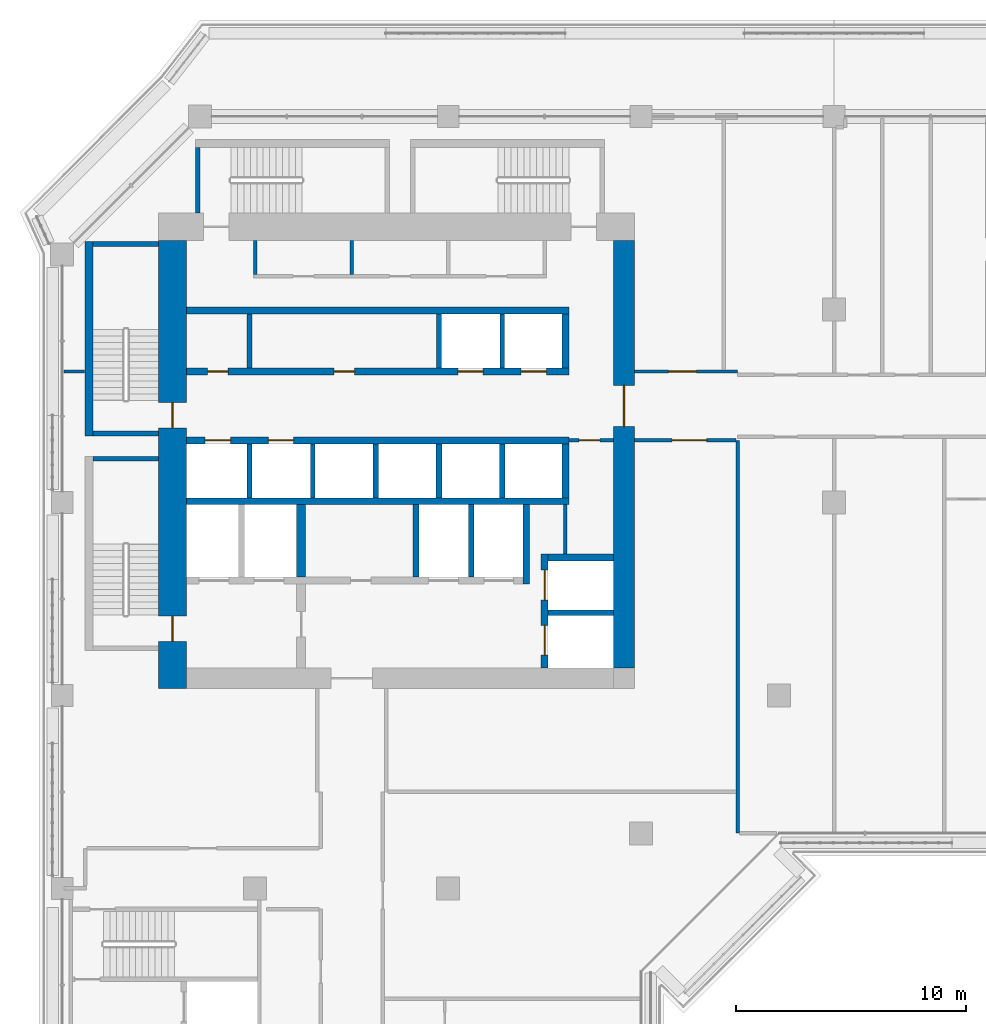
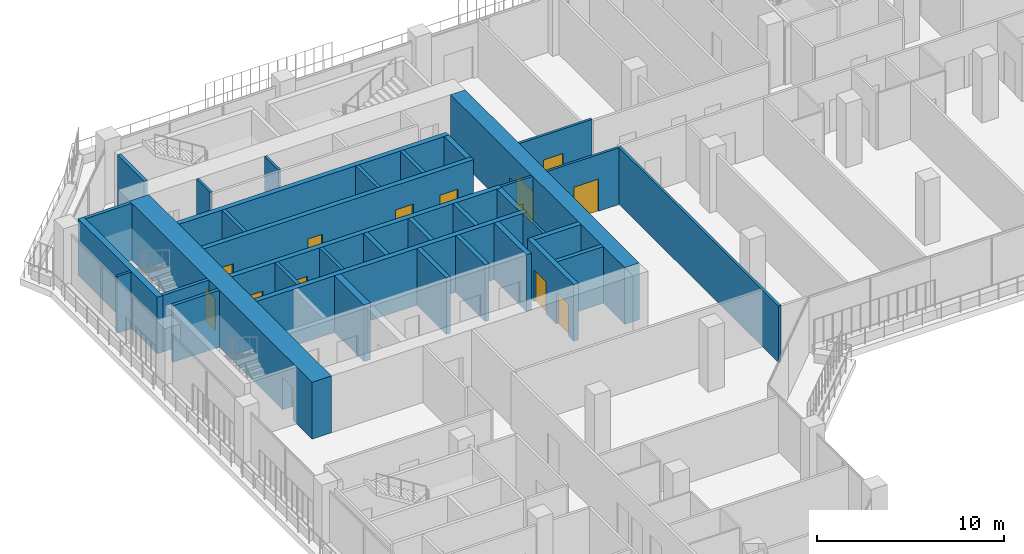
# One storey, part 11 of 22: 36 walls, 14 doors, 14 openings.
"""IFC4 building model written with IfcOpenShell, lengths in metres."""

from ifc_helpers import new_model, si_unit, direction, frame, frame_2d, origin, place, context, subcontext, project, spatial, rectangle, extrude, material, layer, layer_set, type_object, element, fill, save


model = new_model("IFC4")

# Units and contexts
model_context = context("Model", 3, precision=1e-05, world=origin(), true_north=direction((0.0, 1.0)))
body_context = subcontext(model_context, "Body", "Model", "MODEL_VIEW")
ifc_project = project(units=[si_unit("LENGTHUNIT", "METRE"), si_unit("AREAUNIT", "SQUARE_METRE"), si_unit("VOLUMEUNIT", "CUBIC_METRE"), si_unit("PLANEANGLEUNIT", "RADIAN"), si_unit("MASSUNIT", "GRAM", prefix="KILO")], contexts=[model_context])

# Site, building, storey
site_placement = place(None, origin())
site = spatial("IfcSite", under=ifc_project, at=site_placement, CompositionType="ELEMENT")
building_placement = place(site_placement, origin())
building = spatial("IfcBuilding", under=site, at=building_placement, Name="Kawkab Arch Medical Tower", CompositionType="ELEMENT")
storey_placement = place(building_placement, frame((0.0, 0.0, 208.800048828125)))
storey = spatial("IfcBuildingStorey", under=building, at=storey_placement, Name="L48", CompositionType="ELEMENT", Elevation=208.800048828125)

# Wall, openings, doors
ifc_material_1 = material(Name="Concrete C55/67", Category="concrete")
ifc_layer_1 = layer(ifc_material_1, 1.199951171875)
ifc_layer_set_1 = layer_set([ifc_layer_1], Name="Concrete C55/67")
wall_type_1 = type_object("IfcWallType", Name="Core ring wall 1200 C55/67", PredefinedType="SHEAR", material=ifc_layer_set_1)
wall_1_placement = place(storey_placement, frame((4.800048828125, -24.89990234375, 0.0), z_axis=(0.0, 0.0, 1.0), x_axis=(0.0, 1.0, 0.0)))
wall_1 = element("IfcWall", 1, at=wall_1_placement, inside=storey, type_object=wall_type_1, Name="L48 core wall", PredefinedType="SHEAR", context=body_context, shape_type="SweptSolid", body=[
    extrude(rectangle(XDim=19.5, YDim=1.199951171875, at=frame_2d((9.75, 0.0))), origin(), (0.0, 0.0, 1.0), 3.699951171875),
])
opening_1_placement = place(wall_1_placement, frame((11.35009765625, 0.0, 0.0)))
opening_1 = element("IfcOpeningElement", 2, at=opening_1_placement, cuts=wall_1, Name="Opening SD", PredefinedType="OPENING", context=body_context, shape_type="SweptSolid", body=[
    extrude(rectangle(XDim=1.10009765625, YDim=2.10009765625, at=frame_2d((0.550048828125, 1.050048828125))), frame((0.0, 0.60986328125, 0.0), z_axis=(0.0, -1.0, 0.0), x_axis=(1.0, 0.0, 0.0)), (0.0, 0.0, 1.0), 1.219970703125),
])
opening_2_placement = place(wall_1_placement, frame((2.050048828125, 0.0, 0.0)))
opening_2 = element("IfcOpeningElement", 3, at=opening_2_placement, cuts=wall_1, Name="Opening SD", PredefinedType="OPENING", context=body_context, shape_type="SweptSolid", body=[
    extrude(rectangle(XDim=1.10009765625, YDim=2.10009765625, at=frame_2d((0.550048828125, 1.050048828125))), frame((0.0, 0.60986328125, 0.0), z_axis=(0.0, -1.0, 0.0), x_axis=(1.0, 0.0, 0.0)), (0.0, 0.0, 1.0), 1.219970703125),
])
ifc_material_2 = material(Name="Hollow metal fire door leaf")
door_type_1 = type_object("IfcDoorType", Name="Exit stair door 1100", OperationType="SINGLE_SWING_LEFT", PredefinedType="DOOR", material=ifc_material_2)
door_1_placement = place(opening_1_placement, origin())
door_1 = element("IfcDoor", 4, at=door_1_placement, inside=storey, type_object=door_type_1, Name="L48 Exit stair ST1 door", OperationType="SINGLE_SWING_LEFT", OverallHeight=2.10009765625, OverallWidth=1.10009765625, PredefinedType="DOOR", context=body_context, shape_type="SweptSolid", body=[
    extrude(rectangle(XDim=1.10009765625, YDim=2.10009765625, at=frame_2d((0.550048828125, 1.050048828125))), frame((0.0, 0.02490234375, 0.0), z_axis=(0.0, -1.0, 0.0), x_axis=(1.0, 0.0, 0.0)), (0.0, 0.0, 1.0), 0.050048828125),
])
fill(opening_1, door_1)
door_2_placement = place(opening_2_placement, origin())
door_2 = element("IfcDoor", 5, at=door_2_placement, inside=storey, type_object=door_type_1, Name="L48 Exit stair ST2 door", OperationType="SINGLE_SWING_LEFT", OverallHeight=2.10009765625, OverallWidth=1.10009765625, PredefinedType="DOOR", context=body_context, shape_type="SweptSolid", body=[
    extrude(rectangle(XDim=1.10009765625, YDim=2.10009765625, at=frame_2d((0.550048828125, 1.050048828125))), frame((0.0, 0.02490234375, 0.0), z_axis=(0.0, -1.0, 0.0), x_axis=(1.0, 0.0, 0.0)), (0.0, 0.0, 1.0), 0.050048828125),
])
fill(opening_2, door_2)

# Wall, opening, door
ifc_material_3 = material(Name="Concrete C55/67", Category="concrete")
ifc_layer_2 = layer(ifc_material_3, 0.89990234375)
ifc_layer_set_2 = layer_set([ifc_layer_2], Name="Concrete C55/67")
wall_type_2 = type_object("IfcWallType", Name="Core ring wall 900 C55/67", PredefinedType="SHEAR", material=ifc_layer_set_2)
wall_2_placement = place(storey_placement, frame((24.449951171875, -24.0, 0.0), z_axis=(0.0, 0.0, 1.0), x_axis=(0.0, 1.0, 0.0)))
wall_2 = element("IfcWall", 6, at=wall_2_placement, inside=storey, type_object=wall_type_2, Name="L48 core wall", PredefinedType="SHEAR", context=body_context, shape_type="SweptSolid", body=[
    extrude(rectangle(XDim=18.60009765625, YDim=0.89990234375, at=frame_2d((9.300048828125, 0.0))), origin(), (0.0, 0.0, 1.0), 3.699951171875),
])
opening_3_placement = place(wall_2_placement, frame((10.5, 0.0, 0.0)))
opening_3 = element("IfcOpeningElement", 7, at=opening_3_placement, cuts=wall_2, Name="Opening PD", PredefinedType="OPENING", context=body_context, shape_type="SweptSolid", body=[
    extrude(rectangle(XDim=1.800048828125, YDim=2.10009765625, at=frame_2d((0.89990234375, 1.050048828125))), frame((0.0, 0.4599609375, 0.0), z_axis=(0.0, -1.0, 0.0), x_axis=(1.0, 0.0, 0.0)), (0.0, 0.0, 1.0), 0.919921875),
])
ifc_material_4 = material(Name="Hollow metal fire door leaf")
door_type_2 = type_object("IfcDoorType", Name="Core entrance doors 1800", OperationType="DOUBLE_DOOR_SINGLE_SWING", PredefinedType="DOOR", material=ifc_material_4)
door_3_placement = place(opening_3_placement, origin())
door_3 = element("IfcDoor", 8, at=door_3_placement, inside=storey, type_object=door_type_2, Name="L48 East entrance doors", OperationType="DOUBLE_DOOR_SINGLE_SWING", OverallHeight=2.10009765625, OverallWidth=1.800048828125, PredefinedType="DOOR", context=body_context, shape_type="SweptSolid", body=[
    extrude(rectangle(XDim=1.800048828125, YDim=2.10009765625, at=frame_2d((0.89990234375, 1.050048828125))), frame((0.0, 0.02490234375, 0.0), z_axis=(0.0, -1.0, 0.0), x_axis=(1.0, 0.0, 0.0)), (0.0, 0.0, 1.0), 0.050048828125),
])
fill(opening_3, door_3)

# Wall
ifc_material_5 = material(Name="Gypsum board on steel studs", Category="steel")
ifc_layer_3 = layer(ifc_material_5, 0.14990234375)
ifc_layer_set_3 = layer_set([ifc_layer_3], Name="Gypsum board on steel studs")
wall_type_3 = type_object("IfcWallType", Name="Core room partition 150", PredefinedType="PARTITIONING", material=ifc_layer_set_3)
wall_3_placement = place(storey_placement, frame((21.89990234375, -19.050048828125, 0.0), z_axis=(0.0, 0.0, 1.0), x_axis=(0.0, 1.0, 0.0)))
element("IfcWall", 9, at=wall_3_placement, inside=storey, type_object=wall_type_3, Name="L48 core room partition", PredefinedType="PARTITIONING", context=body_context, shape_type="SweptSolid", body=[
    extrude(rectangle(XDim=2.150146484375, YDim=0.14990234375, at=frame_2d((1.0751953125, 0.0))), origin(), (0.0, 0.0, 1.0), 3.699951171875),
])

# Wall, opening, door
wall_4_placement = place(storey_placement, frame((22.050048828125, -14.10009765625, 0.0), z_axis=(0.0, 0.0, 1.0), x_axis=(1.0, 0.0, 0.0)))
wall_4 = element("IfcWall", 10, at=wall_4_placement, inside=storey, type_object=wall_type_3, Name="L48 core room partition", PredefinedType="PARTITIONING", context=body_context, shape_type="SweptSolid", body=[
    extrude(rectangle(XDim=1.949951171875, YDim=0.14990234375, at=frame_2d((0.97509765625, 0.0))), origin(), (0.0, 0.0, 1.0), 3.699951171875),
])
opening_4_placement = place(wall_4_placement, frame((0.449951171875, 0.0, 0.0)))
opening_4 = element("IfcOpeningElement", 11, at=opening_4_placement, cuts=wall_4, Name="Opening RD", PredefinedType="OPENING", context=body_context, shape_type="SweptSolid", body=[
    extrude(rectangle(XDim=0.89990234375, YDim=2.10009765625, at=frame_2d((0.449951171875, 1.050048828125))), frame((0.0, 0.0849609375, 0.0), z_axis=(0.0, -1.0, 0.0), x_axis=(1.0, 0.0, 0.0)), (0.0, 0.0, 1.0), 0.169921875),
])
ifc_material_6 = material(Name="Hollow metal fire door leaf")
door_type_3 = type_object("IfcDoorType", Name="Core room door 900", OperationType="SINGLE_SWING_LEFT", PredefinedType="DOOR", material=ifc_material_6)
door_4_placement = place(opening_4_placement, origin())
door_4 = element("IfcDoor", 12, at=door_4_placement, inside=storey, type_object=door_type_3, Name="L48 Housekeeping store door", OperationType="SINGLE_SWING_LEFT", OverallHeight=2.10009765625, OverallWidth=0.89990234375, PredefinedType="DOOR", context=body_context, shape_type="SweptSolid", body=[
    extrude(rectangle(XDim=0.89990234375, YDim=2.10009765625, at=frame_2d((0.449951171875, 1.050048828125))), frame((0.0, 0.02490234375, 0.0), z_axis=(0.0, -1.0, 0.0), x_axis=(1.0, 0.0, 0.0)), (0.0, 0.0, 1.0), 0.050048828125),
])
fill(opening_4, door_4)

# Walls
for number, where, z_axis, x_axis, name in (
    (13, (8.39990234375, -6.875, 0.0), (0.0, 0.0, 1.0), (0.0, 1.0, 0.0), "L48 core room partition"),
    (14, (12.60009765625, -6.875, 0.0), (0.0, 0.0, 1.0), (0.0, 1.0, 0.0), "L48 core room partition"),
):
    element("IfcWall", number, at=place(storey_placement, frame(where, z_axis=z_axis, x_axis=x_axis)), inside=storey, type_object=wall_type_3, Name=name, PredefinedType="PARTITIONING", context=body_context, shape_type="SweptSolid", body=[
        extrude(rectangle(XDim=1.47509765625, YDim=0.14990234375, at=frame_2d((0.737548828125, 0.0))), origin(), (0.0, 0.0, 1.0), 3.699951171875),
    ])
ifc_material_7 = material(Name="Concrete C60/75", Category="concrete")
ifc_layer_4 = layer(ifc_material_7, 0.25)
ifc_layer_set_4 = layer_set([ifc_layer_4], Name="Concrete C60/75")
wall_type_4 = type_object("IfcWallType", Name="Core shear wall 250 C60/75", PredefinedType="SHEAR", material=ifc_layer_set_4)
wall_5_placement = place(storey_placement, frame((21.14990234375, -21.60009765625, 0.0), z_axis=(0.0, 0.0, 1.0), x_axis=(1.0, 0.0, 0.0)))
element("IfcWall", 15, at=wall_5_placement, inside=storey, type_object=wall_type_4, Name="L48 core shear wall", PredefinedType="SHEAR", context=body_context, shape_type="SweptSolid", body=[
    extrude(rectangle(XDim=2.85009765625, YDim=0.25, at=frame_2d((1.425048828125, 0.0))), origin(), (0.0, 0.0, 1.0), 3.699951171875),
])
for number, where, z_axis, x_axis, name in (
    (16, (15.39990234375, -20.050048828125, 0.0), (0.0, 0.0, 1.0), (0.0, 1.0, 0.0), "L48 core shear wall"),
    (17, (17.800048828125, -20.050048828125, 0.0), (0.0, 0.0, 1.0), (0.0, 1.0, 0.0), "L48 core shear wall"),
):
    element("IfcWall", number, at=place(storey_placement, frame(where, z_axis=z_axis, x_axis=x_axis)), inside=storey, type_object=wall_type_4, Name=name, PredefinedType="SHEAR", context=body_context, shape_type="SweptSolid", body=[
        extrude(rectangle(XDim=3.150146484375, YDim=0.25, at=frame_2d((1.5751953125, 0.0))), origin(), (0.0, 0.0, 1.0), 3.699951171875),
    ])
for number, where, z_axis, x_axis, name in (
    (18, (13.64990234375, -16.60009765625, 0.0), (0.0, 0.0, 1.0), (0.0, 1.0, 0.0), "L48 core shear wall"),
    (19, (16.39990234375, -16.60009765625, 0.0), (0.0, 0.0, 1.0), (0.0, 1.0, 0.0), "L48 core shear wall"),
    (20, (19.14990234375, -16.60009765625, 0.0), (0.0, 0.0, 1.0), (0.0, 1.0, 0.0), "L48 core shear wall"),
):
    element("IfcWall", number, at=place(storey_placement, frame(where, z_axis=z_axis, x_axis=x_axis)), inside=storey, type_object=wall_type_4, Name=name, PredefinedType="SHEAR", context=body_context, shape_type="SweptSolid", body=[
        extrude(rectangle(XDim=2.35009765625, YDim=0.25, at=frame_2d((1.175048828125, 0.0))), origin(), (0.0, 0.0, 1.0), 3.699951171875),
    ])
ifc_material_8 = material(Name="Concrete C60/75", Category="concrete")
ifc_layer_5 = layer(ifc_material_8, 0.300048828125)
ifc_layer_set_5 = layer_set([ifc_layer_5], Name="Concrete C60/75")
wall_type_5 = type_object("IfcWallType", Name="Core shear wall 300 C60/75", PredefinedType="SHEAR", material=ifc_layer_set_5)
wall_6_placement = place(storey_placement, frame((5.39990234375, -8.449951171875, 0.0), z_axis=(0.0, 0.0, 1.0), x_axis=(1.0, 0.0, 0.0)))
element("IfcWall", 21, at=wall_6_placement, inside=storey, type_object=wall_type_5, Name="L48 core shear wall", PredefinedType="SHEAR", context=body_context, shape_type="SweptSolid", body=[
    extrude(rectangle(XDim=16.650146484375, YDim=0.300048828125, at=frame_2d((8.3251953125, 0.0))), origin(), (0.0, 0.0, 1.0), 3.699951171875),
])

# Wall, openings, doors
wall_7_placement = place(storey_placement, frame((5.39990234375, -11.10009765625, 0.0), z_axis=(0.0, 0.0, 1.0), x_axis=(1.0, 0.0, 0.0)))
wall_7 = element("IfcWall", 22, at=wall_7_placement, inside=storey, type_object=wall_type_5, Name="L48 core shear wall", PredefinedType="SHEAR", context=body_context, shape_type="SweptSolid", body=[
    extrude(rectangle(XDim=16.650146484375, YDim=0.300048828125, at=frame_2d((8.3251953125, 0.0))), origin(), (0.0, 0.0, 1.0), 3.699951171875),
])
opening_5_placement = place(wall_7_placement, frame((11.824951171875, 0.0, 0.0)))
opening_5 = element("IfcOpeningElement", 23, at=opening_5_placement, cuts=wall_7, Name="Opening LD1", PredefinedType="OPENING", context=body_context, shape_type="SweptSolid", body=[
    extrude(rectangle(XDim=1.10009765625, YDim=2.10009765625, at=frame_2d((0.550048828125, 1.050048828125))), frame((0.0, 0.159912109375, 0.0), z_axis=(0.0, -1.0, 0.0), x_axis=(1.0, 0.0, 0.0)), (0.0, 0.0, 1.0), 0.320068359375),
])
opening_6_placement = place(wall_7_placement, frame((14.574951171875, 0.0, 0.0)))
opening_6 = element("IfcOpeningElement", 24, at=opening_6_placement, cuts=wall_7, Name="Opening LD1", PredefinedType="OPENING", context=body_context, shape_type="SweptSolid", body=[
    extrude(rectangle(XDim=1.10009765625, YDim=2.10009765625, at=frame_2d((0.550048828125, 1.050048828125))), frame((0.0, 0.159912109375, 0.0), z_axis=(0.0, -1.0, 0.0), x_axis=(1.0, 0.0, 0.0)), (0.0, 0.0, 1.0), 0.320068359375),
])
opening_7_placement = place(wall_7_placement, frame((0.925048828125, 0.0, 0.0)))
opening_7 = element("IfcOpeningElement", 25, at=opening_7_placement, cuts=wall_7, Name="Opening RD", PredefinedType="OPENING", context=body_context, shape_type="SweptSolid", body=[
    extrude(rectangle(XDim=0.89990234375, YDim=2.10009765625, at=frame_2d((0.449951171875, 1.050048828125))), frame((0.0, 0.159912109375, 0.0), z_axis=(0.0, -1.0, 0.0), x_axis=(1.0, 0.0, 0.0)), (0.0, 0.0, 1.0), 0.320068359375),
])
opening_8_placement = place(wall_7_placement, frame((6.425048828125, 0.0, 0.0)))
opening_8 = element("IfcOpeningElement", 26, at=opening_8_placement, cuts=wall_7, Name="Opening RD", PredefinedType="OPENING", context=body_context, shape_type="SweptSolid", body=[
    extrude(rectangle(XDim=0.89990234375, YDim=2.10009765625, at=frame_2d((0.449951171875, 1.050048828125))), frame((0.0, 0.159912109375, 0.0), z_axis=(0.0, -1.0, 0.0), x_axis=(1.0, 0.0, 0.0)), (0.0, 0.0, 1.0), 0.320068359375),
])
door_5_placement = place(opening_7_placement, origin())
door_5 = element("IfcDoor", 27, at=door_5_placement, inside=storey, type_object=door_type_3, Name="L48 Linen store door", OperationType="SINGLE_SWING_LEFT", OverallHeight=2.10009765625, OverallWidth=0.89990234375, PredefinedType="DOOR", context=body_context, shape_type="SweptSolid", body=[
    extrude(rectangle(XDim=0.89990234375, YDim=2.10009765625, at=frame_2d((0.449951171875, 1.050048828125))), frame((0.0, 0.02490234375, 0.0), z_axis=(0.0, -1.0, 0.0), x_axis=(1.0, 0.0, 0.0)), (0.0, 0.0, 1.0), 0.050048828125),
])
fill(opening_7, door_5)
door_6_placement = place(opening_8_placement, origin())
door_6 = element("IfcDoor", 28, at=door_6_placement, inside=storey, type_object=door_type_3, Name="L48 Housekeeping store door", OperationType="SINGLE_SWING_LEFT", OverallHeight=2.10009765625, OverallWidth=0.89990234375, PredefinedType="DOOR", context=body_context, shape_type="SweptSolid", body=[
    extrude(rectangle(XDim=0.89990234375, YDim=2.10009765625, at=frame_2d((0.449951171875, 1.050048828125))), frame((0.0, 0.02490234375, 0.0), z_axis=(0.0, -1.0, 0.0), x_axis=(1.0, 0.0, 0.0)), (0.0, 0.0, 1.0), 0.050048828125),
])
fill(opening_8, door_6)
ifc_material_9 = material(Name="Stainless steel lift door leaf", Category="steel")
door_type_4 = type_object("IfcDoorType", Name="Lift landing door 1100", OperationType="DOUBLE_DOOR_SLIDING", PredefinedType="DOOR", material=ifc_material_9)
door_7_placement = place(opening_5_placement, origin())
door_7 = element("IfcDoor", 29, at=door_7_placement, inside=storey, type_object=door_type_4, Name="L48 Lift landing door MP1", OperationType="DOUBLE_DOOR_SLIDING", OverallHeight=2.10009765625, OverallWidth=1.10009765625, PredefinedType="DOOR", context=body_context, shape_type="SweptSolid", body=[
    extrude(rectangle(XDim=1.10009765625, YDim=2.10009765625, at=frame_2d((0.550048828125, 1.050048828125))), frame((0.0, 0.02490234375, 0.0), z_axis=(0.0, -1.0, 0.0), x_axis=(1.0, 0.0, 0.0)), (0.0, 0.0, 1.0), 0.050048828125),
])
fill(opening_5, door_7)
door_8_placement = place(opening_6_placement, origin())
door_8 = element("IfcDoor", 30, at=door_8_placement, inside=storey, type_object=door_type_4, Name="L48 Lift landing door MP2", OperationType="DOUBLE_DOOR_SLIDING", OverallHeight=2.10009765625, OverallWidth=1.10009765625, PredefinedType="DOOR", context=body_context, shape_type="SweptSolid", body=[
    extrude(rectangle(XDim=1.10009765625, YDim=2.10009765625, at=frame_2d((0.550048828125, 1.050048828125))), frame((0.0, 0.02490234375, 0.0), z_axis=(0.0, -1.0, 0.0), x_axis=(1.0, 0.0, 0.0)), (0.0, 0.0, 1.0), 0.050048828125),
])
fill(opening_6, door_8)

wall_8_placement = place(storey_placement, frame((5.39990234375, -14.10009765625, 0.0), z_axis=(0.0, 0.0, 1.0), x_axis=(1.0, 0.0, 0.0)))
wall_8 = element("IfcWall", 31, at=wall_8_placement, inside=storey, type_object=wall_type_5, Name="L48 core shear wall", PredefinedType="SHEAR", context=body_context, shape_type="SweptSolid", body=[
    extrude(rectangle(XDim=16.650146484375, YDim=0.300048828125, at=frame_2d((8.3251953125, 0.0))), origin(), (0.0, 0.0, 1.0), 3.699951171875),
])
opening_9_placement = place(wall_8_placement, frame((0.824951171875, 0.0, 0.0)))
opening_9 = element("IfcOpeningElement", 32, at=opening_9_placement, cuts=wall_8, Name="Opening LD1", PredefinedType="OPENING", context=body_context, shape_type="SweptSolid", body=[
    extrude(rectangle(XDim=1.10009765625, YDim=2.10009765625, at=frame_2d((0.550048828125, 1.050048828125))), frame((0.0, 0.159912109375, 0.0), z_axis=(0.0, -1.0, 0.0), x_axis=(1.0, 0.0, 0.0)), (0.0, 0.0, 1.0), 0.320068359375),
])
opening_10_placement = place(wall_8_placement, frame((3.574951171875, 0.0, 0.0)))
opening_10 = element("IfcOpeningElement", 33, at=opening_10_placement, cuts=wall_8, Name="Opening LD1", PredefinedType="OPENING", context=body_context, shape_type="SweptSolid", body=[
    extrude(rectangle(XDim=1.10009765625, YDim=2.10009765625, at=frame_2d((0.550048828125, 1.050048828125))), frame((0.0, 0.159912109375, 0.0), z_axis=(0.0, -1.0, 0.0), x_axis=(1.0, 0.0, 0.0)), (0.0, 0.0, 1.0), 0.320068359375),
])
door_9_placement = place(opening_9_placement, origin())
door_9 = element("IfcDoor", 34, at=door_9_placement, inside=storey, type_object=door_type_4, Name="L48 Lift landing door MP3", OperationType="DOUBLE_DOOR_SLIDING", OverallHeight=2.10009765625, OverallWidth=1.10009765625, PredefinedType="DOOR", context=body_context, shape_type="SweptSolid", body=[
    extrude(rectangle(XDim=1.10009765625, YDim=2.10009765625, at=frame_2d((0.550048828125, 1.050048828125))), frame((0.0, 0.02490234375, 0.0), z_axis=(0.0, -1.0, 0.0), x_axis=(1.0, 0.0, 0.0)), (0.0, 0.0, 1.0), 0.050048828125),
])
fill(opening_9, door_9)
door_10_placement = place(opening_10_placement, origin())
door_10 = element("IfcDoor", 35, at=door_10_placement, inside=storey, type_object=door_type_4, Name="L48 Lift landing door MP4", OperationType="DOUBLE_DOOR_SLIDING", OverallHeight=2.10009765625, OverallWidth=1.10009765625, PredefinedType="DOOR", context=body_context, shape_type="SweptSolid", body=[
    extrude(rectangle(XDim=1.10009765625, YDim=2.10009765625, at=frame_2d((0.550048828125, 1.050048828125))), frame((0.0, 0.02490234375, 0.0), z_axis=(0.0, -1.0, 0.0), x_axis=(1.0, 0.0, 0.0)), (0.0, 0.0, 1.0), 0.050048828125),
])
fill(opening_10, door_10)

# Walls
wall_9_placement = place(storey_placement, frame((5.39990234375, -16.75, 0.0), z_axis=(0.0, 0.0, 1.0), x_axis=(1.0, 0.0, 0.0)))
element("IfcWall", 36, at=wall_9_placement, inside=storey, type_object=wall_type_5, Name="L48 core shear wall", PredefinedType="SHEAR", context=body_context, shape_type="SweptSolid", body=[
    extrude(rectangle(XDim=16.650146484375, YDim=0.300048828125, at=frame_2d((8.3251953125, 0.0))), origin(), (0.0, 0.0, 1.0), 3.699951171875),
])
wall_10_placement = place(storey_placement, frame((20.199951171875, -20.35009765625, 0.0), z_axis=(0.0, 0.0, 1.0), x_axis=(0.0, 1.0, 0.0)))
element("IfcWall", 37, at=wall_10_placement, inside=storey, type_object=wall_type_5, Name="L48 core shear wall", PredefinedType="SHEAR", context=body_context, shape_type="SweptSolid", body=[
    extrude(rectangle(XDim=3.4501953125, YDim=0.300048828125, at=frame_2d((1.72509765625, 0.0))), origin(), (0.0, 0.0, 1.0), 3.699951171875),
])
wall_11_placement = place(storey_placement, frame((21.89990234375, -10.949951171875, 0.0), z_axis=(0.0, 0.0, 1.0), x_axis=(0.0, 1.0, 0.0)))
element("IfcWall", 38, at=wall_11_placement, inside=storey, type_object=wall_type_5, Name="L48 core shear wall", PredefinedType="SHEAR", context=body_context, shape_type="SweptSolid", body=[
    extrude(rectangle(XDim=2.349853515625, YDim=0.300048828125, at=frame_2d((1.1748046875, 0.0))), origin(), (0.0, 0.0, 1.0), 3.699951171875),
])
wall_12_placement = place(storey_placement, frame((21.89990234375, -16.60009765625, 0.0), z_axis=(0.0, 0.0, 1.0), x_axis=(0.0, 1.0, 0.0)))
element("IfcWall", 39, at=wall_12_placement, inside=storey, type_object=wall_type_5, Name="L48 core shear wall", PredefinedType="SHEAR", context=body_context, shape_type="SweptSolid", body=[
    extrude(rectangle(XDim=2.35009765625, YDim=0.300048828125, at=frame_2d((1.175048828125, 0.0))), origin(), (0.0, 0.0, 1.0), 3.699951171875),
])
wall_13_placement = place(storey_placement, frame((21.14990234375, -19.199951171875, 0.0), z_axis=(0.0, 0.0, 1.0), x_axis=(1.0, 0.0, 0.0)))
element("IfcWall", 40, at=wall_13_placement, inside=storey, type_object=wall_type_5, Name="L48 core shear wall", PredefinedType="SHEAR", context=body_context, shape_type="SweptSolid", body=[
    extrude(rectangle(XDim=2.85009765625, YDim=0.300048828125, at=frame_2d((1.425048828125, 0.0))), origin(), (0.0, 0.0, 1.0), 3.699951171875),
])

# Wall, openings, doors
wall_14_placement = place(storey_placement, frame((21.0, -24.0, 0.0), z_axis=(0.0, 0.0, 1.0), x_axis=(0.0, 1.0, 0.0)))
wall_14 = element("IfcWall", 41, at=wall_14_placement, inside=storey, type_object=wall_type_5, Name="L48 core shear wall", PredefinedType="SHEAR", context=body_context, shape_type="SweptSolid", body=[
    extrude(rectangle(XDim=4.949951171875, YDim=0.300048828125, at=frame_2d((2.47509765625, 0.0))), origin(), (0.0, 0.0, 1.0), 3.699951171875),
])
opening_11_placement = place(wall_14_placement, frame((2.949951171875, 0.0, 0.0)))
opening_11 = element("IfcOpeningElement", 42, at=opening_11_placement, cuts=wall_14, Name="Opening LD2", PredefinedType="OPENING", context=body_context, shape_type="SweptSolid", body=[
    extrude(rectangle(XDim=1.300048828125, YDim=2.10009765625, at=frame_2d((0.64990234375, 1.050048828125))), frame((0.0, 0.159912109375, 0.0), z_axis=(0.0, -1.0, 0.0), x_axis=(1.0, 0.0, 0.0)), (0.0, 0.0, 1.0), 0.320068359375),
])
opening_12_placement = place(wall_14_placement, frame((0.550048828125, 0.0, 0.0)))
opening_12 = element("IfcOpeningElement", 43, at=opening_12_placement, cuts=wall_14, Name="Opening LD2", PredefinedType="OPENING", context=body_context, shape_type="SweptSolid", body=[
    extrude(rectangle(XDim=1.300048828125, YDim=2.10009765625, at=frame_2d((0.64990234375, 1.050048828125))), frame((0.0, 0.159912109375, 0.0), z_axis=(0.0, -1.0, 0.0), x_axis=(1.0, 0.0, 0.0)), (0.0, 0.0, 1.0), 0.320068359375),
])
ifc_material_10 = material(Name="Stainless steel lift door leaf", Category="steel")
door_type_5 = type_object("IfcDoorType", Name="Lift landing door 1300", OperationType="DOUBLE_DOOR_SLIDING", PredefinedType="DOOR", material=ifc_material_10)
door_11_placement = place(opening_11_placement, origin())
door_11 = element("IfcDoor", 44, at=door_11_placement, inside=storey, type_object=door_type_5, Name="L48 Lift landing door BD1", OperationType="DOUBLE_DOOR_SLIDING", OverallHeight=2.10009765625, OverallWidth=1.300048828125, PredefinedType="DOOR", context=body_context, shape_type="SweptSolid", body=[
    extrude(rectangle(XDim=1.300048828125, YDim=2.10009765625, at=frame_2d((0.64990234375, 1.050048828125))), frame((0.0, 0.02490234375, 0.0), z_axis=(0.0, -1.0, 0.0), x_axis=(1.0, 0.0, 0.0)), (0.0, 0.0, 1.0), 0.050048828125),
])
fill(opening_11, door_11)
door_12_placement = place(opening_12_placement, origin())
door_12 = element("IfcDoor", 45, at=door_12_placement, inside=storey, type_object=door_type_5, Name="L48 Lift landing door BD2", OperationType="DOUBLE_DOOR_SLIDING", OverallHeight=2.10009765625, OverallWidth=1.300048828125, PredefinedType="DOOR", context=body_context, shape_type="SweptSolid", body=[
    extrude(rectangle(XDim=1.300048828125, YDim=2.10009765625, at=frame_2d((0.64990234375, 1.050048828125))), frame((0.0, 0.02490234375, 0.0), z_axis=(0.0, -1.0, 0.0), x_axis=(1.0, 0.0, 0.0)), (0.0, 0.0, 1.0), 0.050048828125),
])
fill(opening_12, door_12)

# Walls
ifc_material_11 = material(Name="Concrete C60/75", Category="concrete")
ifc_layer_6 = layer(ifc_material_11, 0.39990234375)
ifc_layer_set_6 = layer_set([ifc_layer_6], Name="Concrete C60/75")
wall_type_6 = type_object("IfcWallType", Name="Core shear wall 400 C60/75", PredefinedType="SHEAR", material=ifc_layer_set_6)
wall_15_placement = place(storey_placement, frame((10.39990234375, -20.050048828125, 0.0), z_axis=(0.0, 0.0, 1.0), x_axis=(0.0, 1.0, 0.0)))
element("IfcWall", 46, at=wall_15_placement, inside=storey, type_object=wall_type_6, Name="L48 core shear wall", PredefinedType="SHEAR", context=body_context, shape_type="SweptSolid", body=[
    extrude(rectangle(XDim=3.150146484375, YDim=0.39990234375, at=frame_2d((1.5751953125, 0.0))), origin(), (0.0, 0.0, 1.0), 3.699951171875),
])
ifc_material_12 = material(Name="Dense concrete blockwork", Category="masonry")
ifc_layer_7 = layer(ifc_material_12, 0.199951171875)
ifc_layer_set_7 = layer_set([ifc_layer_7], Name="Dense concrete blockwork")
wall_type_7 = type_object("IfcWallType", Name="Lift shaft partition 200", PredefinedType="PARTITIONING", material=ifc_layer_set_7)
for number, where, z_axis, x_axis, name in (
    (47, (8.14990234375, -10.949951171875, 0.0), (0.0, 0.0, 1.0), (0.0, 1.0, 0.0), "L48 lift shaft partition"),
    (48, (16.39990234375, -10.949951171875, 0.0), (0.0, 0.0, 1.0), (0.0, 1.0, 0.0), "L48 lift shaft partition"),
    (49, (19.14990234375, -10.949951171875, 0.0), (0.0, 0.0, 1.0), (0.0, 1.0, 0.0), "L48 lift shaft partition"),
):
    element("IfcWall", number, at=place(storey_placement, frame(where, z_axis=z_axis, x_axis=x_axis)), inside=storey, type_object=wall_type_7, Name=name, PredefinedType="PARTITIONING", context=body_context, shape_type="SweptSolid", body=[
        extrude(rectangle(XDim=2.349853515625, YDim=0.199951171875, at=frame_2d((1.1748046875, 0.0))), origin(), (0.0, 0.0, 1.0), 3.699951171875),
    ])
for number, where, z_axis, x_axis, name in (
    (50, (8.14990234375, -16.60009765625, 0.0), (0.0, 0.0, 1.0), (0.0, 1.0, 0.0), "L48 lift shaft partition"),
    (51, (10.89990234375, -16.60009765625, 0.0), (0.0, 0.0, 1.0), (0.0, 1.0, 0.0), "L48 lift shaft partition"),
):
    element("IfcWall", number, at=place(storey_placement, frame(where, z_axis=z_axis, x_axis=x_axis)), inside=storey, type_object=wall_type_7, Name=name, PredefinedType="PARTITIONING", context=body_context, shape_type="SweptSolid", body=[
        extrude(rectangle(XDim=2.35009765625, YDim=0.199951171875, at=frame_2d((1.175048828125, 0.0))), origin(), (0.0, 0.0, 1.0), 3.699951171875),
    ])

# Wall, opening, door
ifc_material_13 = material(Name="Gypsum board partition on steel studs, mineral wool", Category="steel")
ifc_layer_8 = layer(ifc_material_13, 0.14990234375)
ifc_layer_set_8 = layer_set([ifc_layer_8], Name="Gypsum board partition on steel studs, mineral wool")
wall_type_8 = type_object("IfcWallType", Name="Partition 150", PredefinedType="PARTITIONING", material=ifc_layer_set_8)
wall_16_placement = place(storey_placement, frame((24.89990234375, -14.10009765625, 0.0), z_axis=(0.0, 0.0, 1.0), x_axis=(1.0, 0.0, 0.0)))
wall_16 = element("IfcWall", 52, at=wall_16_placement, inside=storey, type_object=wall_type_8, Name="Partition 150 w032", PredefinedType="PARTITIONING", context=body_context, shape_type="SweptSolid", body=[
    extrude(rectangle(XDim=4.425048828125, YDim=0.14990234375, at=frame_2d((2.21240234375, 0.0))), origin(), (0.0, 0.0, 1.0), 3.699951171875),
])
opening_13_placement = place(wall_16_placement, frame((1.64990234375, 0.0, 0.0)))
opening_13 = element("IfcOpeningElement", 53, at=opening_13_placement, cuts=wall_16, Name="Opening W43-001", PredefinedType="OPENING", context=body_context, shape_type="SweptSolid", body=[
    extrude(rectangle(XDim=1.5, YDim=2.10009765625, at=frame_2d((0.75, 1.050048828125))), frame((0.0, 0.0849609375, 0.0), z_axis=(0.0, -1.0, 0.0), x_axis=(1.0, 0.0, 0.0)), (0.0, 0.0, 1.0), 0.169921875),
])
ifc_material_14 = material(Name="Hollow metal door leaf")
door_type_6 = type_object("IfcDoorType", Name="Double door 1500x2100 FD30S", OperationType="NOTDEFINED", PredefinedType="DOOR", material=ifc_material_14)
door_13_placement = place(opening_13_placement, origin())
door_13 = element("IfcDoor", 54, at=door_13_placement, inside=storey, type_object=door_type_6, Name="Door W43-001", OperationType="DOUBLE_DOOR_SINGLE_SWING", OverallHeight=2.10009765625, OverallWidth=1.5, PredefinedType="DOOR", context=body_context, shape_type="SweptSolid", body=[
    extrude(rectangle(XDim=1.5, YDim=2.10009765625, at=frame_2d((0.75, 1.050048828125))), frame((0.0, 0.02490234375, 0.0), z_axis=(0.0, -1.0, 0.0), x_axis=(1.0, 0.0, 0.0)), (0.0, 0.0, 1.0), 0.050048828125),
])
fill(opening_13, door_13)

# Wall
wall_17_placement = place(storey_placement, frame((0.080078125, -11.10009765625, 0.0), z_axis=(0.0, 0.0, 1.0), x_axis=(1.0, 0.0, 0.0)))
element("IfcWall", 55, at=wall_17_placement, inside=storey, type_object=wall_type_8, Name="Partition 150 w037", PredefinedType="PARTITIONING", context=body_context, shape_type="SweptSolid", body=[
    extrude(rectangle(XDim=0.889892578125, YDim=0.14990234375, at=frame_2d((0.44482421875, 0.0))), origin(), (0.0, 0.0, 1.0), 3.699951171875),
])

# Wall, opening, door
wall_18_placement = place(storey_placement, frame((24.89990234375, -11.10009765625, 0.0), z_axis=(0.0, 0.0, 1.0), x_axis=(1.0, 0.0, 0.0)))
wall_18 = element("IfcWall", 56, at=wall_18_placement, inside=storey, type_object=wall_type_8, Name="Partition 150 w038", PredefinedType="PARTITIONING", context=body_context, shape_type="SweptSolid", body=[
    extrude(rectangle(XDim=4.498046875, YDim=0.14990234375, at=frame_2d((2.2490234375, 0.0))), origin(), (0.0, 0.0, 1.0), 3.699951171875),
])
opening_14_placement = place(wall_18_placement, frame((1.5, 0.0, 0.0)))
opening_14 = element("IfcOpeningElement", 57, at=opening_14_placement, cuts=wall_18, Name="Opening W43-022", PredefinedType="OPENING", context=body_context, shape_type="SweptSolid", body=[
    extrude(rectangle(XDim=1.199951171875, YDim=2.10009765625, at=frame_2d((0.60009765625, 1.050048828125))), frame((0.0, 0.0849609375, 0.0), z_axis=(0.0, -1.0, 0.0), x_axis=(1.0, 0.0, 0.0)), (0.0, 0.0, 1.0), 0.169921875),
])
ifc_material_15 = material(Name="Hollow metal door leaf")
door_type_7 = type_object("IfcDoorType", Name="Single door 1200x2100 FD30S", OperationType="NOTDEFINED", PredefinedType="DOOR", material=ifc_material_15)
door_14_placement = place(opening_14_placement, origin())
door_14 = element("IfcDoor", 58, at=door_14_placement, inside=storey, type_object=door_type_7, Name="Door W43-022", OperationType="SINGLE_SWING_LEFT", OverallHeight=2.10009765625, OverallWidth=1.199951171875, PredefinedType="DOOR", context=body_context, shape_type="SweptSolid", body=[
    extrude(rectangle(XDim=1.199951171875, YDim=2.10009765625, at=frame_2d((0.60009765625, 1.050048828125))), frame((0.0, 0.02490234375, 0.0), z_axis=(0.0, -1.0, 0.0), x_axis=(1.0, 0.0, 0.0)), (0.0, 0.0, 1.0), 0.050048828125),
])
fill(opening_14, door_14)

# Walls
wall_19_placement = place(storey_placement, frame((29.39990234375, -31.197998046875, 0.0), z_axis=(0.0, 0.0, 1.0), x_axis=(0.0, 1.0, 0.0)))
element("IfcWall", 59, at=wall_19_placement, inside=storey, type_object=wall_type_8, Name="Partition 150 w052", PredefinedType="PARTITIONING", context=body_context, shape_type="SweptSolid", body=[
    extrude(rectangle(XDim=17.097900390625, YDim=0.14990234375, at=frame_2d((8.548828125, 0.0))), origin(), (0.0, 0.0, 1.0), 3.699951171875),
])
ifc_material_16 = material(Name="Concrete C50/60", Category="concrete")
ifc_layer_9 = layer(ifc_material_16, 0.199951171875)
ifc_layer_set_9 = layer_set([ifc_layer_9], Name="Concrete C50/60")
wall_type_9 = type_object("IfcWallType", Name="Stair enclosure wall 200 C50/60", PredefinedType="SHEAR", material=ifc_layer_set_9)
for number, where, z_axis, x_axis, name in (
    (60, (1.35009765625, -5.550048828125, 0.0), (0.0, 0.0, 1.0), (1.0, 0.0, 0.0), "L48 stair enclosure wall"),
    (61, (1.35009765625, -13.800048828125, 0.0), (0.0, 0.0, 1.0), (1.0, 0.0, 0.0), "L48 stair enclosure wall"),
    (62, (1.35009765625, -14.89990234375, 0.0), (0.0, 0.0, 1.0), (1.0, 0.0, 0.0), "L48 stair enclosure wall"),
    (63, (5.89990234375, -4.199951171875, 0.0), (0.0, 0.0, 1.0), (0.0, 1.0, 0.0), "L48 stair enclosure wall"),
):
    element("IfcWall", number, at=place(storey_placement, frame(where, z_axis=z_axis, x_axis=x_axis)), inside=storey, type_object=wall_type_9, Name=name, PredefinedType="SHEAR", context=body_context, shape_type="SweptSolid", body=[
        extrude(rectangle(XDim=2.849853515625, YDim=0.199951171875, at=frame_2d((1.4248046875, 0.0))), origin(), (0.0, 0.0, 1.0), 3.699951171875),
    ])
ifc_material_17 = material(Name="Concrete C50/60", Category="concrete")
ifc_layer_10 = layer(ifc_material_17, 0.35009765625)
ifc_layer_set_10 = layer_set([ifc_layer_10], Name="Concrete C50/60")
wall_type_10 = type_object("IfcWallType", Name="Stair enclosure wall 350 C50/60", PredefinedType="SHEAR", material=ifc_layer_set_10)
wall_20_placement = place(storey_placement, frame((1.175048828125, -13.89990234375, 0.0), z_axis=(0.0, 0.0, 1.0), x_axis=(0.0, 1.0, 0.0)))
element("IfcWall", 64, at=wall_20_placement, inside=storey, type_object=wall_type_10, Name="L48 stair enclosure wall", PredefinedType="SHEAR", context=body_context, shape_type="SweptSolid", body=[
    extrude(rectangle(XDim=8.449951171875, YDim=0.35009765625, at=frame_2d((4.22509765625, 0.0))), origin(), (0.0, 0.0, 1.0), 3.699951171875),
])

save(model, "model.ifc")
